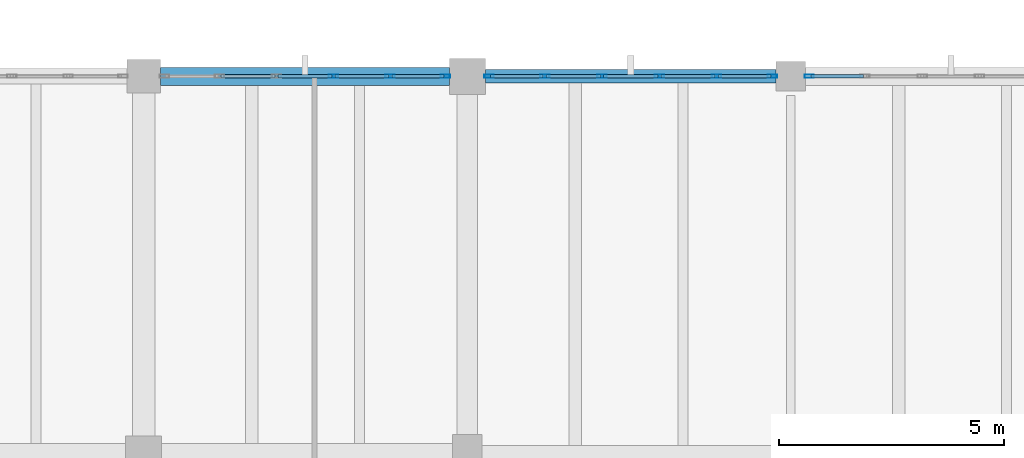
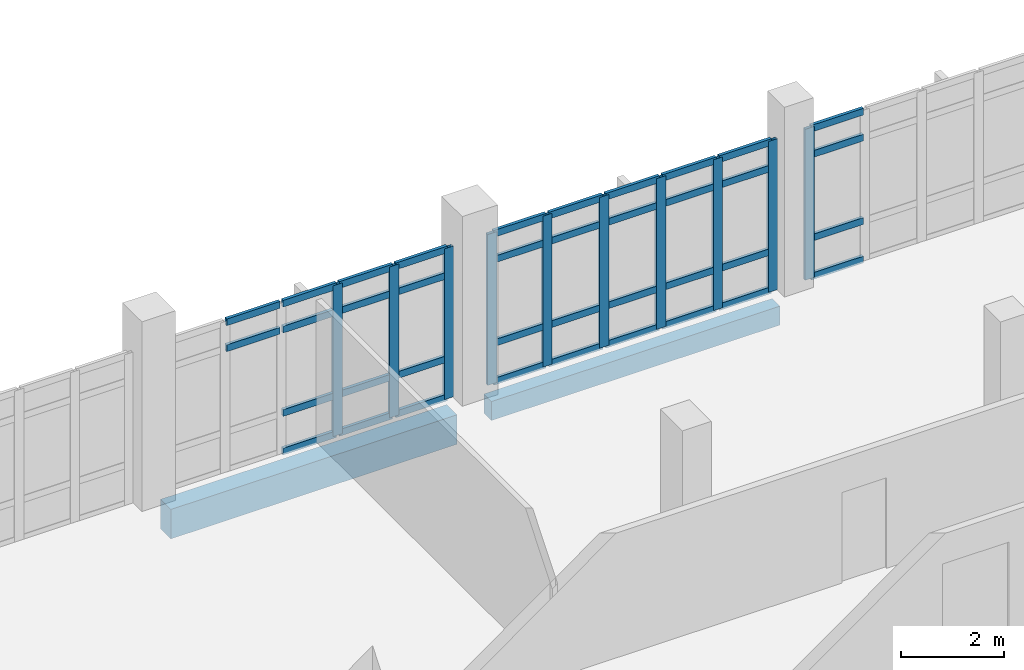
# One storey, part 75 of 124: 48 members, 2 beams, 3 elements without a shape of their own.
"""IFC4 building model written with IfcOpenShell, lengths in metres."""

from ifc_helpers import new_model, si_unit, direction, frame, origin, origin_2d, place, context, subcontext, project, spatial, rectangle, hollow_rectangle, extrude, material, material_profile, profile_set, type_object, element, aggregate, save


model = new_model("IFC4")

# Units and contexts
model_context = context("Model", 3, precision=1e-05, world=origin(), true_north=direction((0.0, 1.0)))
body_context = subcontext(model_context, "Body", "Model", "MODEL_VIEW")
ifc_project = project(units=[si_unit("LENGTHUNIT", "METRE"), si_unit("AREAUNIT", "SQUARE_METRE"), si_unit("VOLUMEUNIT", "CUBIC_METRE"), si_unit("PLANEANGLEUNIT", "RADIAN"), si_unit("MASSUNIT", "GRAM", prefix="KILO")], contexts=[model_context])

# Site, building, storey
site_placement = place(None, origin())
site = spatial("IfcSite", under=ifc_project, at=site_placement, CompositionType="ELEMENT")
building_placement = place(site_placement, origin())
building = spatial("IfcBuilding", under=site, at=building_placement, Name="Kalluvel Institute of Natural Sciences", CompositionType="ELEMENT")
storey_placement = place(building_placement, frame((0.0, 0.0, 9.89990234375)))
storey = spatial("IfcBuildingStorey", under=building, at=storey_placement, Name="L02", CompositionType="ELEMENT", Elevation=9.89990234375)

# Curtain wall, members
ifc_material_1 = material(Name="Aluminium AW-6063 T6", Category="aluminium")
curtain_wall_type = type_object("IfcCurtainWallType", Name="CW-WET-45", PredefinedType="USERDEFINED", material=ifc_material_1)
curtain_wall_1_placement = place(storey_placement, origin())
curtain_wall_1 = element("IfcCurtainWall", 1, at=curtain_wall_1_placement, inside=storey, type_object=curtain_wall_type, Name="L02 Gothic lancet curtain wall CWA-L02-X936-Y1280", ObjectType="UNITISED LANCET FACADE", PredefinedType="USERDEFINED")
ifc_material_profile_1 = material_profile(ifc_material_1, hollow_rectangle(XDim=0.070068359375, YDim=0.2099609375, WallThickness=0.0048828125, at=origin_2d()), Name="CWM 70x210")
ifc_profile_set_1 = profile_set([ifc_material_profile_1], Name="Aluminium AW-6063 T6")
member_type_1 = type_object("IfcMemberType", Name="CWM-70x210", PredefinedType="MULLION", material=ifc_profile_set_1)
member_1_placement = place(storey_placement, frame((97.419921875, 128.0, 0.0), z_axis=(0.0, 0.0, 1.0), x_axis=(0.0, 1.0, 0.0)))
member_1 = element("IfcMember", 2, at=member_1_placement, type_object=member_type_1, Name="CW-01 mullion 4", PredefinedType="MULLION", context=body_context, shape_type="SweptSolid", body=[
    extrude(hollow_rectangle(XDim=0.070068359375, YDim=0.2099609375, WallThickness=0.0048828125, at=origin_2d()), origin(), (0.0, 0.0, 1.0), 3.580078125),
])
member_2_placement = place(storey_placement, frame((98.68505859375, 128.0, 0.0), z_axis=(0.0, 0.0, 1.0), x_axis=(0.0, 1.0, 0.0)))
member_2 = element("IfcMember", 3, at=member_2_placement, type_object=member_type_1, Name="CW-01 mullion 5", PredefinedType="MULLION", context=body_context, shape_type="SweptSolid", body=[
    extrude(hollow_rectangle(XDim=0.070068359375, YDim=0.2099609375, WallThickness=0.0048828125, at=origin_2d()), origin(), (0.0, 0.0, 1.0), 3.580078125),
])
member_3_placement = place(storey_placement, frame((99.9150390625, 128.0, 0.0), z_axis=(0.0, 0.0, 1.0), x_axis=(0.0, 1.0, 0.0)))
member_3 = element("IfcMember", 4, at=member_3_placement, type_object=member_type_1, Name="CW-01 mullion 6", PredefinedType="MULLION", context=body_context, shape_type="SweptSolid", body=[
    extrude(hollow_rectangle(XDim=0.070068359375, YDim=0.2099609375, WallThickness=0.0048828125, at=origin_2d()), origin(), (0.0, 0.0, 1.0), 3.580078125),
])

curtain_wall_2_placement = place(storey_placement, origin())
curtain_wall_2 = element("IfcCurtainWall", 5, at=curtain_wall_2_placement, inside=storey, type_object=curtain_wall_type, Name="L02 Gothic lancet curtain wall CWA-L02-X1008-Y1280", ObjectType="UNITISED LANCET FACADE", PredefinedType="USERDEFINED")
member_4_placement = place(storey_placement, frame((100.885009765625, 128.0, 0.0), z_axis=(0.0, 0.0, 1.0), x_axis=(0.0, 1.0, 0.0)))
member_4 = element("IfcMember", 6, at=member_4_placement, type_object=member_type_1, Name="CW-01 mullion 1", PredefinedType="MULLION", context=body_context, shape_type="SweptSolid", body=[
    extrude(hollow_rectangle(XDim=0.070068359375, YDim=0.2099609375, WallThickness=0.0048828125, at=origin_2d()), origin(), (0.0, 0.0, 1.0), 3.580078125),
])
member_5_placement = place(storey_placement, frame((102.125, 128.0, 0.0), z_axis=(0.0, 0.0, 1.0), x_axis=(0.0, 1.0, 0.0)))
member_5 = element("IfcMember", 7, at=member_5_placement, type_object=member_type_1, Name="CW-01 mullion 2", PredefinedType="MULLION", context=body_context, shape_type="SweptSolid", body=[
    extrude(hollow_rectangle(XDim=0.070068359375, YDim=0.2099609375, WallThickness=0.0048828125, at=origin_2d()), origin(), (0.0, 0.0, 1.0), 3.580078125),
])
member_6_placement = place(storey_placement, frame((103.39990234375, 128.0, 0.0), z_axis=(0.0, 0.0, 1.0), x_axis=(0.0, 1.0, 0.0)))
member_6 = element("IfcMember", 8, at=member_6_placement, type_object=member_type_1, Name="CW-01 mullion 3", PredefinedType="MULLION", context=body_context, shape_type="SweptSolid", body=[
    extrude(hollow_rectangle(XDim=0.070068359375, YDim=0.2099609375, WallThickness=0.0048828125, at=origin_2d()), origin(), (0.0, 0.0, 1.0), 3.580078125),
])
member_7_placement = place(storey_placement, frame((104.675048828125, 128.0, 0.0), z_axis=(0.0, 0.0, 1.0), x_axis=(0.0, 1.0, 0.0)))
member_7 = element("IfcMember", 9, at=member_7_placement, type_object=member_type_1, Name="CW-01 mullion 4", PredefinedType="MULLION", context=body_context, shape_type="SweptSolid", body=[
    extrude(hollow_rectangle(XDim=0.070068359375, YDim=0.2099609375, WallThickness=0.0048828125, at=origin_2d()), origin(), (0.0, 0.0, 1.0), 3.580078125),
])
member_8_placement = place(storey_placement, frame((105.949951171875, 128.0, 0.0), z_axis=(0.0, 0.0, 1.0), x_axis=(0.0, 1.0, 0.0)))
member_8 = element("IfcMember", 10, at=member_8_placement, type_object=member_type_1, Name="CW-01 mullion 5", PredefinedType="MULLION", context=body_context, shape_type="SweptSolid", body=[
    extrude(hollow_rectangle(XDim=0.070068359375, YDim=0.2099609375, WallThickness=0.0048828125, at=origin_2d()), origin(), (0.0, 0.0, 1.0), 3.580078125),
])
member_9_placement = place(storey_placement, frame((107.18994140625, 128.0, 0.0), z_axis=(0.0, 0.0, 1.0), x_axis=(0.0, 1.0, 0.0)))
member_9 = element("IfcMember", 11, at=member_9_placement, type_object=member_type_1, Name="CW-01 mullion 6", PredefinedType="MULLION", context=body_context, shape_type="SweptSolid", body=[
    extrude(hollow_rectangle(XDim=0.070068359375, YDim=0.2099609375, WallThickness=0.0048828125, at=origin_2d()), origin(), (0.0, 0.0, 1.0), 3.580078125),
])

# Curtain wall, member
curtain_wall_3_placement = place(storey_placement, origin())
curtain_wall_3 = element("IfcCurtainWall", 12, at=curtain_wall_3_placement, inside=storey, type_object=curtain_wall_type, Name="L02 Gothic lancet curtain wall CWA-L02-X1080-Y1280", ObjectType="UNITISED LANCET FACADE", PredefinedType="USERDEFINED")
member_10_placement = place(storey_placement, frame((108.010009765625, 128.0, 0.0), z_axis=(0.0, 0.0, 1.0), x_axis=(0.0, 1.0, 0.0)))
member_10 = element("IfcMember", 13, at=member_10_placement, type_object=member_type_1, Name="CW-01 mullion 1", PredefinedType="MULLION", context=body_context, shape_type="SweptSolid", body=[
    extrude(hollow_rectangle(XDim=0.070068359375, YDim=0.2099609375, WallThickness=0.0048828125, at=origin_2d()), origin(), (0.0, 0.0, 1.0), 3.580078125),
])

# Member
ifc_material_profile_2 = material_profile(ifc_material_1, hollow_rectangle(XDim=0.070068359375, YDim=0.159912109375, WallThickness=0.0048828125, at=origin_2d()), Name="CWT 70x160")
ifc_profile_set_2 = profile_set([ifc_material_profile_2], Name="Aluminium AW-6063 T6")
member_type_2 = type_object("IfcMemberType", Name="CWT-70x160", PredefinedType="USERDEFINED", material=ifc_profile_set_2)
member_11_placement = place(storey_placement, frame((94.925048828125, 128.0, 2.93017578125), z_axis=(1.0, 0.0, 0.0), x_axis=(0.0, 1.0, 0.0)))
member_11 = element("IfcMember", 14, at=member_11_placement, type_object=member_type_2, Name="CW-01 transom 2.3", ObjectType="TRANSOM", PredefinedType="USERDEFINED", context=body_context, shape_type="SweptSolid", body=[
    extrude(hollow_rectangle(XDim=0.070068359375, YDim=0.159912109375, WallThickness=0.0048828125, at=origin_2d()), origin(), (0.0, 0.0, 1.0), 1.195068359375),
])

member_12_placement = place(storey_placement, frame((94.925048828125, 128.0, 3.545166015625), z_axis=(1.0, 0.0, 0.0), x_axis=(0.0, 1.0, 0.0)))
member_12 = element("IfcMember", 15, at=member_12_placement, type_object=member_type_2, Name="CW-01 transom 2.4", ObjectType="TRANSOM", PredefinedType="USERDEFINED", context=body_context, shape_type="SweptSolid", body=[
    extrude(hollow_rectangle(XDim=0.070068359375, YDim=0.159912109375, WallThickness=0.0048828125, at=origin_2d()), origin(), (0.0, 0.0, 1.0), 1.195068359375),
])

member_13_placement = place(storey_placement, frame((96.18994140625, 128.0, 0.03515625), z_axis=(1.0, 0.0, 0.0), x_axis=(0.0, 1.0, 0.0)))
member_13 = element("IfcMember", 16, at=member_13_placement, type_object=member_type_2, Name="CW-01 transom 3.1", ObjectType="TRANSOM", PredefinedType="USERDEFINED", context=body_context, shape_type="SweptSolid", body=[
    extrude(hollow_rectangle(XDim=0.070068359375, YDim=0.159912109375, WallThickness=0.0048828125, at=origin_2d()), origin(), (0.0, 0.0, 1.0), 1.195068359375),
])

member_14_placement = place(storey_placement, frame((96.18994140625, 128.0, 0.9501953125), z_axis=(1.0, 0.0, 0.0), x_axis=(0.0, 1.0, 0.0)))
member_14 = element("IfcMember", 17, at=member_14_placement, type_object=member_type_2, Name="CW-01 transom 3.2", ObjectType="TRANSOM", PredefinedType="USERDEFINED", context=body_context, shape_type="SweptSolid", body=[
    extrude(hollow_rectangle(XDim=0.070068359375, YDim=0.159912109375, WallThickness=0.0048828125, at=origin_2d()), origin(), (0.0, 0.0, 1.0), 1.195068359375),
])

member_15_placement = place(storey_placement, frame((96.18994140625, 128.0, 2.93017578125), z_axis=(1.0, 0.0, 0.0), x_axis=(0.0, 1.0, 0.0)))
member_15 = element("IfcMember", 18, at=member_15_placement, type_object=member_type_2, Name="CW-01 transom 3.3", ObjectType="TRANSOM", PredefinedType="USERDEFINED", context=body_context, shape_type="SweptSolid", body=[
    extrude(hollow_rectangle(XDim=0.070068359375, YDim=0.159912109375, WallThickness=0.0048828125, at=origin_2d()), origin(), (0.0, 0.0, 1.0), 1.195068359375),
])

member_16_placement = place(storey_placement, frame((96.18994140625, 128.0, 3.545166015625), z_axis=(1.0, 0.0, 0.0), x_axis=(0.0, 1.0, 0.0)))
member_16 = element("IfcMember", 19, at=member_16_placement, type_object=member_type_2, Name="CW-01 transom 3.4", ObjectType="TRANSOM", PredefinedType="USERDEFINED", context=body_context, shape_type="SweptSolid", body=[
    extrude(hollow_rectangle(XDim=0.070068359375, YDim=0.159912109375, WallThickness=0.0048828125, at=origin_2d()), origin(), (0.0, 0.0, 1.0), 1.195068359375),
])

member_17_placement = place(storey_placement, frame((97.455078125, 128.0, 0.03515625), z_axis=(1.0, 0.0, 0.0), x_axis=(0.0, 1.0, 0.0)))
member_17 = element("IfcMember", 20, at=member_17_placement, type_object=member_type_2, Name="CW-01 transom 4.1", ObjectType="TRANSOM", PredefinedType="USERDEFINED", context=body_context, shape_type="SweptSolid", body=[
    extrude(hollow_rectangle(XDim=0.070068359375, YDim=0.159912109375, WallThickness=0.0048828125, at=origin_2d()), origin(), (0.0, 0.0, 1.0), 1.19482421875),
])

member_18_placement = place(storey_placement, frame((97.455078125, 128.0, 0.9501953125), z_axis=(1.0, 0.0, 0.0), x_axis=(0.0, 1.0, 0.0)))
member_18 = element("IfcMember", 21, at=member_18_placement, type_object=member_type_2, Name="CW-01 transom 4.2", ObjectType="TRANSOM", PredefinedType="USERDEFINED", context=body_context, shape_type="SweptSolid", body=[
    extrude(hollow_rectangle(XDim=0.070068359375, YDim=0.159912109375, WallThickness=0.0048828125, at=origin_2d()), origin(), (0.0, 0.0, 1.0), 1.19482421875),
])

member_19_placement = place(storey_placement, frame((97.455078125, 128.0, 2.93017578125), z_axis=(1.0, 0.0, 0.0), x_axis=(0.0, 1.0, 0.0)))
member_19 = element("IfcMember", 22, at=member_19_placement, type_object=member_type_2, Name="CW-01 transom 4.3", ObjectType="TRANSOM", PredefinedType="USERDEFINED", context=body_context, shape_type="SweptSolid", body=[
    extrude(hollow_rectangle(XDim=0.070068359375, YDim=0.159912109375, WallThickness=0.0048828125, at=origin_2d()), origin(), (0.0, 0.0, 1.0), 1.19482421875),
])

member_20_placement = place(storey_placement, frame((97.455078125, 128.0, 3.545166015625), z_axis=(1.0, 0.0, 0.0), x_axis=(0.0, 1.0, 0.0)))
member_20 = element("IfcMember", 23, at=member_20_placement, type_object=member_type_2, Name="CW-01 transom 4.4", ObjectType="TRANSOM", PredefinedType="USERDEFINED", context=body_context, shape_type="SweptSolid", body=[
    extrude(hollow_rectangle(XDim=0.070068359375, YDim=0.159912109375, WallThickness=0.0048828125, at=origin_2d()), origin(), (0.0, 0.0, 1.0), 1.19482421875),
])

member_21_placement = place(storey_placement, frame((98.719970703125, 128.0, 0.03515625), z_axis=(1.0, 0.0, 0.0), x_axis=(0.0, 1.0, 0.0)))
member_21 = element("IfcMember", 24, at=member_21_placement, type_object=member_type_2, Name="CW-01 transom 5.1", ObjectType="TRANSOM", PredefinedType="USERDEFINED", context=body_context, shape_type="SweptSolid", body=[
    extrude(hollow_rectangle(XDim=0.070068359375, YDim=0.159912109375, WallThickness=0.0048828125, at=origin_2d()), origin(), (0.0, 0.0, 1.0), 1.159912109375),
])

member_22_placement = place(storey_placement, frame((98.719970703125, 128.0, 0.9501953125), z_axis=(1.0, 0.0, 0.0), x_axis=(0.0, 1.0, 0.0)))
member_22 = element("IfcMember", 25, at=member_22_placement, type_object=member_type_2, Name="CW-01 transom 5.2", ObjectType="TRANSOM", PredefinedType="USERDEFINED", context=body_context, shape_type="SweptSolid", body=[
    extrude(hollow_rectangle(XDim=0.070068359375, YDim=0.159912109375, WallThickness=0.0048828125, at=origin_2d()), origin(), (0.0, 0.0, 1.0), 1.159912109375),
])

member_23_placement = place(storey_placement, frame((98.719970703125, 128.0, 2.93017578125), z_axis=(1.0, 0.0, 0.0), x_axis=(0.0, 1.0, 0.0)))
member_23 = element("IfcMember", 26, at=member_23_placement, type_object=member_type_2, Name="CW-01 transom 5.3", ObjectType="TRANSOM", PredefinedType="USERDEFINED", context=body_context, shape_type="SweptSolid", body=[
    extrude(hollow_rectangle(XDim=0.070068359375, YDim=0.159912109375, WallThickness=0.0048828125, at=origin_2d()), origin(), (0.0, 0.0, 1.0), 1.159912109375),
])

member_24_placement = place(storey_placement, frame((98.719970703125, 128.0, 3.545166015625), z_axis=(1.0, 0.0, 0.0), x_axis=(0.0, 1.0, 0.0)))
member_24 = element("IfcMember", 27, at=member_24_placement, type_object=member_type_2, Name="CW-01 transom 5.4", ObjectType="TRANSOM", PredefinedType="USERDEFINED", context=body_context, shape_type="SweptSolid", body=[
    extrude(hollow_rectangle(XDim=0.070068359375, YDim=0.159912109375, WallThickness=0.0048828125, at=origin_2d()), origin(), (0.0, 0.0, 1.0), 1.159912109375),
])

aggregate(curtain_wall_1, [member_1, member_2, member_3, member_11, member_12, member_13, member_14, member_15, member_16, member_17, member_18, member_19, member_20, member_21, member_22, member_23, member_24])

member_25_placement = place(storey_placement, frame((100.919921875, 128.0, 0.03515625), z_axis=(1.0, 0.0, 0.0), x_axis=(0.0, 1.0, 0.0)))
member_25 = element("IfcMember", 28, at=member_25_placement, type_object=member_type_2, Name="CW-01 transom 1.1", ObjectType="TRANSOM", PredefinedType="USERDEFINED", context=body_context, shape_type="SweptSolid", body=[
    extrude(hollow_rectangle(XDim=0.070068359375, YDim=0.159912109375, WallThickness=0.0048828125, at=origin_2d()), origin(), (0.0, 0.0, 1.0), 1.170166015625),
])

member_26_placement = place(storey_placement, frame((100.919921875, 128.0, 0.9501953125), z_axis=(1.0, 0.0, 0.0), x_axis=(0.0, 1.0, 0.0)))
member_26 = element("IfcMember", 29, at=member_26_placement, type_object=member_type_2, Name="CW-01 transom 1.2", ObjectType="TRANSOM", PredefinedType="USERDEFINED", context=body_context, shape_type="SweptSolid", body=[
    extrude(hollow_rectangle(XDim=0.070068359375, YDim=0.159912109375, WallThickness=0.0048828125, at=origin_2d()), origin(), (0.0, 0.0, 1.0), 1.170166015625),
])

member_27_placement = place(storey_placement, frame((100.919921875, 128.0, 2.93017578125), z_axis=(1.0, 0.0, 0.0), x_axis=(0.0, 1.0, 0.0)))
member_27 = element("IfcMember", 30, at=member_27_placement, type_object=member_type_2, Name="CW-01 transom 1.3", ObjectType="TRANSOM", PredefinedType="USERDEFINED", context=body_context, shape_type="SweptSolid", body=[
    extrude(hollow_rectangle(XDim=0.070068359375, YDim=0.159912109375, WallThickness=0.0048828125, at=origin_2d()), origin(), (0.0, 0.0, 1.0), 1.170166015625),
])

member_28_placement = place(storey_placement, frame((100.919921875, 128.0, 3.545166015625), z_axis=(1.0, 0.0, 0.0), x_axis=(0.0, 1.0, 0.0)))
member_28 = element("IfcMember", 31, at=member_28_placement, type_object=member_type_2, Name="CW-01 transom 1.4", ObjectType="TRANSOM", PredefinedType="USERDEFINED", context=body_context, shape_type="SweptSolid", body=[
    extrude(hollow_rectangle(XDim=0.070068359375, YDim=0.159912109375, WallThickness=0.0048828125, at=origin_2d()), origin(), (0.0, 0.0, 1.0), 1.170166015625),
])

member_29_placement = place(storey_placement, frame((102.159912109375, 128.0, 0.03515625), z_axis=(1.0, 0.0, 0.0), x_axis=(0.0, 1.0, 0.0)))
member_29 = element("IfcMember", 32, at=member_29_placement, type_object=member_type_2, Name="CW-01 transom 2.1", ObjectType="TRANSOM", PredefinedType="USERDEFINED", context=body_context, shape_type="SweptSolid", body=[
    extrude(hollow_rectangle(XDim=0.070068359375, YDim=0.159912109375, WallThickness=0.0048828125, at=origin_2d()), origin(), (0.0, 0.0, 1.0), 1.205078125),
])

member_30_placement = place(storey_placement, frame((102.159912109375, 128.0, 0.9501953125), z_axis=(1.0, 0.0, 0.0), x_axis=(0.0, 1.0, 0.0)))
member_30 = element("IfcMember", 33, at=member_30_placement, type_object=member_type_2, Name="CW-01 transom 2.2", ObjectType="TRANSOM", PredefinedType="USERDEFINED", context=body_context, shape_type="SweptSolid", body=[
    extrude(hollow_rectangle(XDim=0.070068359375, YDim=0.159912109375, WallThickness=0.0048828125, at=origin_2d()), origin(), (0.0, 0.0, 1.0), 1.205078125),
])

member_31_placement = place(storey_placement, frame((102.159912109375, 128.0, 2.93017578125), z_axis=(1.0, 0.0, 0.0), x_axis=(0.0, 1.0, 0.0)))
member_31 = element("IfcMember", 34, at=member_31_placement, type_object=member_type_2, Name="CW-01 transom 2.3", ObjectType="TRANSOM", PredefinedType="USERDEFINED", context=body_context, shape_type="SweptSolid", body=[
    extrude(hollow_rectangle(XDim=0.070068359375, YDim=0.159912109375, WallThickness=0.0048828125, at=origin_2d()), origin(), (0.0, 0.0, 1.0), 1.205078125),
])

member_32_placement = place(storey_placement, frame((102.159912109375, 128.0, 3.545166015625), z_axis=(1.0, 0.0, 0.0), x_axis=(0.0, 1.0, 0.0)))
member_32 = element("IfcMember", 35, at=member_32_placement, type_object=member_type_2, Name="CW-01 transom 2.4", ObjectType="TRANSOM", PredefinedType="USERDEFINED", context=body_context, shape_type="SweptSolid", body=[
    extrude(hollow_rectangle(XDim=0.070068359375, YDim=0.159912109375, WallThickness=0.0048828125, at=origin_2d()), origin(), (0.0, 0.0, 1.0), 1.205078125),
])

member_33_placement = place(storey_placement, frame((103.43505859375, 128.0, 0.03515625), z_axis=(1.0, 0.0, 0.0), x_axis=(0.0, 1.0, 0.0)))
member_33 = element("IfcMember", 36, at=member_33_placement, type_object=member_type_2, Name="CW-01 transom 3.1", ObjectType="TRANSOM", PredefinedType="USERDEFINED", context=body_context, shape_type="SweptSolid", body=[
    extrude(hollow_rectangle(XDim=0.070068359375, YDim=0.159912109375, WallThickness=0.0048828125, at=origin_2d()), origin(), (0.0, 0.0, 1.0), 1.204833984375),
])

member_34_placement = place(storey_placement, frame((103.43505859375, 128.0, 0.9501953125), z_axis=(1.0, 0.0, 0.0), x_axis=(0.0, 1.0, 0.0)))
member_34 = element("IfcMember", 37, at=member_34_placement, type_object=member_type_2, Name="CW-01 transom 3.2", ObjectType="TRANSOM", PredefinedType="USERDEFINED", context=body_context, shape_type="SweptSolid", body=[
    extrude(hollow_rectangle(XDim=0.070068359375, YDim=0.159912109375, WallThickness=0.0048828125, at=origin_2d()), origin(), (0.0, 0.0, 1.0), 1.204833984375),
])

member_35_placement = place(storey_placement, frame((103.43505859375, 128.0, 2.93017578125), z_axis=(1.0, 0.0, 0.0), x_axis=(0.0, 1.0, 0.0)))
member_35 = element("IfcMember", 38, at=member_35_placement, type_object=member_type_2, Name="CW-01 transom 3.3", ObjectType="TRANSOM", PredefinedType="USERDEFINED", context=body_context, shape_type="SweptSolid", body=[
    extrude(hollow_rectangle(XDim=0.070068359375, YDim=0.159912109375, WallThickness=0.0048828125, at=origin_2d()), origin(), (0.0, 0.0, 1.0), 1.204833984375),
])

member_36_placement = place(storey_placement, frame((103.43505859375, 128.0, 3.545166015625), z_axis=(1.0, 0.0, 0.0), x_axis=(0.0, 1.0, 0.0)))
member_36 = element("IfcMember", 39, at=member_36_placement, type_object=member_type_2, Name="CW-01 transom 3.4", ObjectType="TRANSOM", PredefinedType="USERDEFINED", context=body_context, shape_type="SweptSolid", body=[
    extrude(hollow_rectangle(XDim=0.070068359375, YDim=0.159912109375, WallThickness=0.0048828125, at=origin_2d()), origin(), (0.0, 0.0, 1.0), 1.204833984375),
])

member_37_placement = place(storey_placement, frame((104.7099609375, 128.0, 0.03515625), z_axis=(1.0, 0.0, 0.0), x_axis=(0.0, 1.0, 0.0)))
member_37 = element("IfcMember", 40, at=member_37_placement, type_object=member_type_2, Name="CW-01 transom 4.1", ObjectType="TRANSOM", PredefinedType="USERDEFINED", context=body_context, shape_type="SweptSolid", body=[
    extrude(hollow_rectangle(XDim=0.070068359375, YDim=0.159912109375, WallThickness=0.0048828125, at=origin_2d()), origin(), (0.0, 0.0, 1.0), 1.205078125),
])

member_38_placement = place(storey_placement, frame((104.7099609375, 128.0, 0.9501953125), z_axis=(1.0, 0.0, 0.0), x_axis=(0.0, 1.0, 0.0)))
member_38 = element("IfcMember", 41, at=member_38_placement, type_object=member_type_2, Name="CW-01 transom 4.2", ObjectType="TRANSOM", PredefinedType="USERDEFINED", context=body_context, shape_type="SweptSolid", body=[
    extrude(hollow_rectangle(XDim=0.070068359375, YDim=0.159912109375, WallThickness=0.0048828125, at=origin_2d()), origin(), (0.0, 0.0, 1.0), 1.205078125),
])

member_39_placement = place(storey_placement, frame((104.7099609375, 128.0, 2.93017578125), z_axis=(1.0, 0.0, 0.0), x_axis=(0.0, 1.0, 0.0)))
member_39 = element("IfcMember", 42, at=member_39_placement, type_object=member_type_2, Name="CW-01 transom 4.3", ObjectType="TRANSOM", PredefinedType="USERDEFINED", context=body_context, shape_type="SweptSolid", body=[
    extrude(hollow_rectangle(XDim=0.070068359375, YDim=0.159912109375, WallThickness=0.0048828125, at=origin_2d()), origin(), (0.0, 0.0, 1.0), 1.205078125),
])

member_40_placement = place(storey_placement, frame((104.7099609375, 128.0, 3.545166015625), z_axis=(1.0, 0.0, 0.0), x_axis=(0.0, 1.0, 0.0)))
member_40 = element("IfcMember", 43, at=member_40_placement, type_object=member_type_2, Name="CW-01 transom 4.4", ObjectType="TRANSOM", PredefinedType="USERDEFINED", context=body_context, shape_type="SweptSolid", body=[
    extrude(hollow_rectangle(XDim=0.070068359375, YDim=0.159912109375, WallThickness=0.0048828125, at=origin_2d()), origin(), (0.0, 0.0, 1.0), 1.205078125),
])

member_41_placement = place(storey_placement, frame((105.985107421875, 128.0, 0.03515625), z_axis=(1.0, 0.0, 0.0), x_axis=(0.0, 1.0, 0.0)))
member_41 = element("IfcMember", 44, at=member_41_placement, type_object=member_type_2, Name="CW-01 transom 5.1", ObjectType="TRANSOM", PredefinedType="USERDEFINED", context=body_context, shape_type="SweptSolid", body=[
    extrude(hollow_rectangle(XDim=0.070068359375, YDim=0.159912109375, WallThickness=0.0048828125, at=origin_2d()), origin(), (0.0, 0.0, 1.0), 1.169921875),
])

member_42_placement = place(storey_placement, frame((105.985107421875, 128.0, 0.9501953125), z_axis=(1.0, 0.0, 0.0), x_axis=(0.0, 1.0, 0.0)))
member_42 = element("IfcMember", 45, at=member_42_placement, type_object=member_type_2, Name="CW-01 transom 5.2", ObjectType="TRANSOM", PredefinedType="USERDEFINED", context=body_context, shape_type="SweptSolid", body=[
    extrude(hollow_rectangle(XDim=0.070068359375, YDim=0.159912109375, WallThickness=0.0048828125, at=origin_2d()), origin(), (0.0, 0.0, 1.0), 1.169921875),
])

member_43_placement = place(storey_placement, frame((105.985107421875, 128.0, 2.93017578125), z_axis=(1.0, 0.0, 0.0), x_axis=(0.0, 1.0, 0.0)))
member_43 = element("IfcMember", 46, at=member_43_placement, type_object=member_type_2, Name="CW-01 transom 5.3", ObjectType="TRANSOM", PredefinedType="USERDEFINED", context=body_context, shape_type="SweptSolid", body=[
    extrude(hollow_rectangle(XDim=0.070068359375, YDim=0.159912109375, WallThickness=0.0048828125, at=origin_2d()), origin(), (0.0, 0.0, 1.0), 1.169921875),
])

member_44_placement = place(storey_placement, frame((105.985107421875, 128.0, 3.545166015625), z_axis=(1.0, 0.0, 0.0), x_axis=(0.0, 1.0, 0.0)))
member_44 = element("IfcMember", 47, at=member_44_placement, type_object=member_type_2, Name="CW-01 transom 5.4", ObjectType="TRANSOM", PredefinedType="USERDEFINED", context=body_context, shape_type="SweptSolid", body=[
    extrude(hollow_rectangle(XDim=0.070068359375, YDim=0.159912109375, WallThickness=0.0048828125, at=origin_2d()), origin(), (0.0, 0.0, 1.0), 1.169921875),
])

aggregate(curtain_wall_2, [member_4, member_5, member_6, member_7, member_8, member_9, member_25, member_26, member_27, member_28, member_29, member_30, member_31, member_32, member_33, member_34, member_35, member_36, member_37, member_38, member_39, member_40, member_41, member_42, member_43, member_44])

member_45_placement = place(storey_placement, frame((108.044921875, 128.0, 0.03515625), z_axis=(1.0, 0.0, 0.0), x_axis=(0.0, 1.0, 0.0)))
member_45 = element("IfcMember", 48, at=member_45_placement, type_object=member_type_2, Name="CW-01 transom 1.1", ObjectType="TRANSOM", PredefinedType="USERDEFINED", context=body_context, shape_type="SweptSolid", body=[
    extrude(hollow_rectangle(XDim=0.070068359375, YDim=0.159912109375, WallThickness=0.0048828125, at=origin_2d()), origin(), (0.0, 0.0, 1.0), 1.170166015625),
])

member_46_placement = place(storey_placement, frame((108.044921875, 128.0, 0.9501953125), z_axis=(1.0, 0.0, 0.0), x_axis=(0.0, 1.0, 0.0)))
member_46 = element("IfcMember", 49, at=member_46_placement, type_object=member_type_2, Name="CW-01 transom 1.2", ObjectType="TRANSOM", PredefinedType="USERDEFINED", context=body_context, shape_type="SweptSolid", body=[
    extrude(hollow_rectangle(XDim=0.070068359375, YDim=0.159912109375, WallThickness=0.0048828125, at=origin_2d()), origin(), (0.0, 0.0, 1.0), 1.170166015625),
])

member_47_placement = place(storey_placement, frame((108.044921875, 128.0, 2.93017578125), z_axis=(1.0, 0.0, 0.0), x_axis=(0.0, 1.0, 0.0)))
member_47 = element("IfcMember", 50, at=member_47_placement, type_object=member_type_2, Name="CW-01 transom 1.3", ObjectType="TRANSOM", PredefinedType="USERDEFINED", context=body_context, shape_type="SweptSolid", body=[
    extrude(hollow_rectangle(XDim=0.070068359375, YDim=0.159912109375, WallThickness=0.0048828125, at=origin_2d()), origin(), (0.0, 0.0, 1.0), 1.170166015625),
])

member_48_placement = place(storey_placement, frame((108.044921875, 128.0, 3.545166015625), z_axis=(1.0, 0.0, 0.0), x_axis=(0.0, 1.0, 0.0)))
member_48 = element("IfcMember", 51, at=member_48_placement, type_object=member_type_2, Name="CW-01 transom 1.4", ObjectType="TRANSOM", PredefinedType="USERDEFINED", context=body_context, shape_type="SweptSolid", body=[
    extrude(hollow_rectangle(XDim=0.070068359375, YDim=0.159912109375, WallThickness=0.0048828125, at=origin_2d()), origin(), (0.0, 0.0, 1.0), 1.170166015625),
])

aggregate(curtain_wall_3, [member_10, member_45, member_46, member_47, member_48])

# Beams
ifc_material_2 = material(Name="Concrete M40", Category="concrete")
ifc_material_profile_3 = material_profile(ifc_material_2, rectangle(XDim=0.300048828125, YDim=0.449951171875, at=origin_2d()), Name="RCB 300x450")
ifc_profile_set_3 = profile_set([ifc_material_profile_3], Name="Concrete M40")
beam_type_1 = type_object("IfcBeamType", Name="SP-RC300x450", PredefinedType="SPANDREL", material=ifc_profile_set_3)
beam_1_placement = place(storey_placement, frame((100.800048828125, 128.0, -0.544921875), z_axis=(1.0, 0.0, 0.0), x_axis=(0.0, 1.0, 0.0)))
element("IfcBeam", 52, at=beam_1_placement, inside=storey, type_object=beam_type_1, Name="L02 girder GIR-L02-EW-X1004-Y1280", PredefinedType="SPANDREL", context=body_context, shape_type="SweptSolid", body=[
    extrude(rectangle(XDim=0.300048828125, YDim=0.449951171875, at=origin_2d()), origin(), (0.0, 0.0, 1.0), 6.474853515625),
])
ifc_material_profile_4 = material_profile(ifc_material_2, rectangle(XDim=0.39990234375, YDim=0.699951171875, at=origin_2d()), Name="RCB 400x700")
ifc_profile_set_4 = profile_set([ifc_material_profile_4], Name="Concrete M40")
beam_type_2 = type_object("IfcBeamType", Name="SP-RC400x700", PredefinedType="SPANDREL", material=ifc_profile_set_4)
beam_2_placement = place(storey_placement, frame((93.574951171875, 128.0, -0.669921875), z_axis=(1.0, 0.0, 0.0), x_axis=(0.0, 1.0, 0.0)))
element("IfcBeam", 53, at=beam_2_placement, inside=storey, type_object=beam_type_2, Name="L02 girder GIR-L02-EW-X932-Y1280", PredefinedType="SPANDREL", context=body_context, shape_type="SweptSolid", body=[
    extrude(rectangle(XDim=0.39990234375, YDim=0.699951171875, at=origin_2d()), origin(), (0.0, 0.0, 1.0), 6.425048828125),
])

save(model, "model.ifc")
